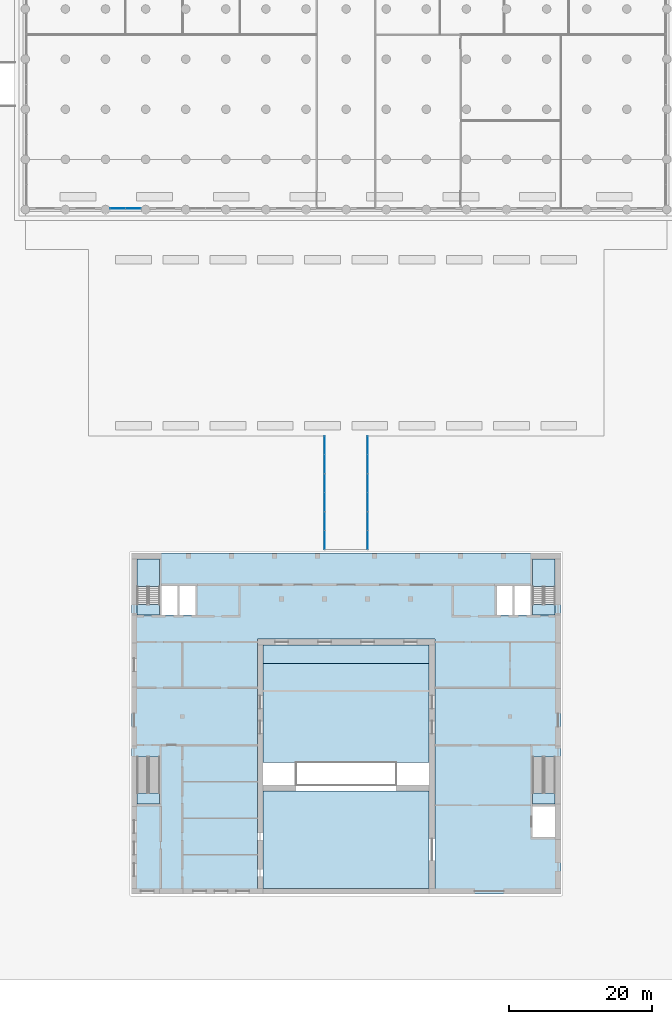
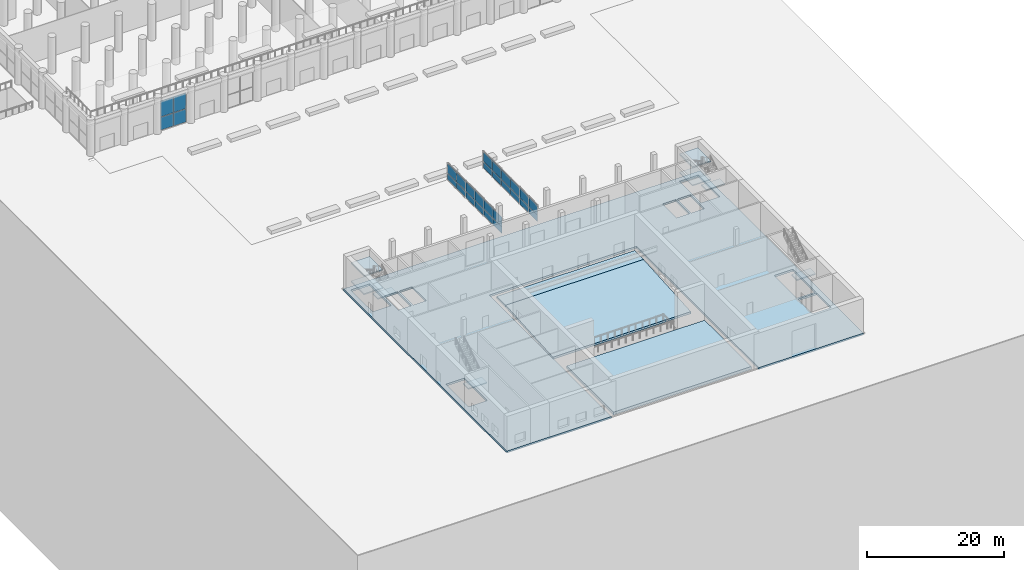
# One storey, part 21 of 51: 28 plates, 12 slabs, 11 elements without a shape of their own.
"""IFC4 building model written with IfcOpenShell, lengths in metres."""

from ifc_helpers import new_model, si_unit, direction, frame, origin, origin_2d, place, context, subcontext, project, spatial, polyline, rectangle, outline, extrude, material, layer, layer_set, type_object, element, aggregate, save


model = new_model("IFC4")

# Units and contexts
model_context = context("Model", 3, precision=1e-05, world=origin(), true_north=direction((0.0, 1.0)))
body_context = subcontext(model_context, "Body", "Model", "MODEL_VIEW")
ifc_project = project(units=[si_unit("LENGTHUNIT", "METRE"), si_unit("AREAUNIT", "SQUARE_METRE"), si_unit("VOLUMEUNIT", "CUBIC_METRE"), si_unit("PLANEANGLEUNIT", "RADIAN"), si_unit("MASSUNIT", "GRAM", prefix="KILO")], contexts=[model_context])

# Site, building, storey
site_placement = place(None, origin())
site = spatial("IfcSite", under=ifc_project, at=site_placement, CompositionType="ELEMENT")
building_placement = place(site_placement, origin())
building = spatial("IfcBuilding", under=site, at=building_placement, Name="Kiln Ring Residences", CompositionType="ELEMENT")
storey_placement = place(building_placement, origin())
storey = spatial("IfcBuildingStorey", under=building, at=storey_placement, Name="L00", CompositionType="ELEMENT", Elevation=0.0)

# Curtain wall, plates
ifc_material_1 = material(Name="Aluminium and glass", Category="aluminium")
ifc_layer_1 = layer(ifc_material_1, 0.179931640625)
ifc_layer_set_1 = layer_set([ifc_layer_1], Name="CW2 CURTAIN WALL")
curtain_wall_type_1 = type_object("IfcCurtainWallType", Name="CW2 CURTAIN WALL", PredefinedType="NOTDEFINED", material=ifc_layer_set_1)
placement_1 = place(storey_placement, origin())
curtain_wall_1 = element("IfcCurtainWall", 1, at=placement_1, inside=storey, type_object=curtain_wall_type_1, Name="Curtain wall CW2 L00", PredefinedType="NOTDEFINED")
ifc_material_2 = material(Name="Glass, clear toughened", Category="glass")
ifc_layer_2 = layer(ifc_material_2, 0.02392578125)
ifc_layer_set_2 = layer_set([ifc_layer_2], Name="CW2 PANEL 24")
plate_type_1 = type_object("IfcPlateType", Name="CW2 PANEL 24", PredefinedType="CURTAIN_PANEL", material=ifc_layer_set_2)
plate_1_placement = place(storey_placement, frame((-31.887451171875, -64.25, 0.0498046875), z_axis=(0.0, 0.0, 1.0), x_axis=(1.0, 0.0, 0.0)))
plate_1 = element("IfcPlate", 2, at=plate_1_placement, type_object=plate_type_1, Name="CW2 panel 1.1", PredefinedType="CURTAIN_PANEL", context=body_context, shape_type="SweptSolid", body=[
    extrude(rectangle(XDim=2.125, YDim=0.02392578125, at=origin_2d()), origin(), (0.0, 0.0, 1.0), 2.324951171875),
])
plate_2_placement = place(storey_placement, frame((-31.887451171875, -64.25, 2.425048828125), z_axis=(0.0, 0.0, 1.0), x_axis=(1.0, 0.0, 0.0)))
plate_2 = element("IfcPlate", 3, at=plate_2_placement, type_object=plate_type_1, Name="CW2 panel 1.2", PredefinedType="CURTAIN_PANEL", context=body_context, shape_type="SweptSolid", body=[
    extrude(rectangle(XDim=2.125, YDim=0.02392578125, at=origin_2d()), origin(), (0.0, 0.0, 1.0), 2.875),
])
plate_3_placement = place(storey_placement, frame((-29.71240234375, -64.25, 0.0498046875), z_axis=(0.0, 0.0, 1.0), x_axis=(1.0, 0.0, 0.0)))
plate_3 = element("IfcPlate", 4, at=plate_3_placement, type_object=plate_type_1, Name="CW2 panel 2.1", PredefinedType="CURTAIN_PANEL", context=body_context, shape_type="SweptSolid", body=[
    extrude(rectangle(XDim=2.125, YDim=0.02392578125, at=origin_2d()), origin(), (0.0, 0.0, 1.0), 2.324951171875),
])
plate_4_placement = place(storey_placement, frame((-29.71240234375, -64.25, 2.425048828125), z_axis=(0.0, 0.0, 1.0), x_axis=(1.0, 0.0, 0.0)))
plate_4 = element("IfcPlate", 5, at=plate_4_placement, type_object=plate_type_1, Name="CW2 panel 2.2", PredefinedType="CURTAIN_PANEL", context=body_context, shape_type="SweptSolid", body=[
    extrude(rectangle(XDim=2.125, YDim=0.02392578125, at=origin_2d()), origin(), (0.0, 0.0, 1.0), 2.875),
])
aggregate(curtain_wall_1, [plate_1, plate_2, plate_3, plate_4])

ifc_material_3 = material(Name="Aluminium and glass", Category="aluminium")
ifc_layer_3 = layer(ifc_material_3, 0.159912109375)
ifc_layer_set_3 = layer_set([ifc_layer_3], Name="CW6 CURTAIN WALL")
curtain_wall_type_2 = type_object("IfcCurtainWallType", Name="CW6 CURTAIN WALL", PredefinedType="NOTDEFINED", material=ifc_layer_set_3)
curtain_wall_2 = element("IfcCurtainWall", 6, at=placement_1, inside=storey, type_object=curtain_wall_type_2, Name="Curtain wall CW6 L00", PredefinedType="NOTDEFINED")
ifc_material_4 = material(Name="Glass, clear toughened", Category="glass")
ifc_layer_4 = layer(ifc_material_4, 0.02001953125)
ifc_layer_set_4 = layer_set([ifc_layer_4], Name="CW6 PANEL 20")
plate_type_2 = type_object("IfcPlateType", Name="CW6 PANEL 20", PredefinedType="CURTAIN_PANEL", material=ifc_layer_set_4)
plate_5_placement = place(storey_placement, frame((-3.0, -97.33740234375, 0.050048828125), z_axis=(0.0, 0.0, 1.0), x_axis=(0.0, -1.0, 0.0)))
plate_5 = element("IfcPlate", 7, at=plate_5_placement, type_object=plate_type_2, Name="CW6 panel 1.1", PredefinedType="CURTAIN_PANEL", context=body_context, shape_type="SweptSolid", body=[
    extrude(rectangle(XDim=2.574951171875, YDim=0.02001953125, at=origin_2d()), origin(), (0.0, 0.0, 1.0), 1.125),
])
plate_6_placement = place(storey_placement, frame((-3.0, -97.33740234375, 1.224853515625), z_axis=(0.0, 0.0, 1.0), x_axis=(0.0, -1.0, 0.0)))
plate_6 = element("IfcPlate", 8, at=plate_6_placement, type_object=plate_type_2, Name="CW6 panel 1.2", PredefinedType="CURTAIN_PANEL", context=body_context, shape_type="SweptSolid", body=[
    extrude(rectangle(XDim=2.574951171875, YDim=0.02001953125, at=origin_2d()), origin(), (0.0, 0.0, 1.0), 1.72509765625),
])
plate_7_placement = place(storey_placement, frame((-3.0, -99.96240234375, 0.050048828125), z_axis=(0.0, 0.0, 1.0), x_axis=(0.0, -1.0, 0.0)))
plate_7 = element("IfcPlate", 9, at=plate_7_placement, type_object=plate_type_2, Name="CW6 panel 2.1", PredefinedType="CURTAIN_PANEL", context=body_context, shape_type="SweptSolid", body=[
    extrude(rectangle(XDim=2.574951171875, YDim=0.02001953125, at=origin_2d()), origin(), (0.0, 0.0, 1.0), 1.125),
])
plate_8_placement = place(storey_placement, frame((-3.0, -99.96240234375, 1.224853515625), z_axis=(0.0, 0.0, 1.0), x_axis=(0.0, -1.0, 0.0)))
plate_8 = element("IfcPlate", 10, at=plate_8_placement, type_object=plate_type_2, Name="CW6 panel 2.2", PredefinedType="CURTAIN_PANEL", context=body_context, shape_type="SweptSolid", body=[
    extrude(rectangle(XDim=2.574951171875, YDim=0.02001953125, at=origin_2d()), origin(), (0.0, 0.0, 1.0), 1.72509765625),
])
aggregate(curtain_wall_2, [plate_5, plate_6, plate_7, plate_8])

curtain_wall_3 = element("IfcCurtainWall", 11, at=placement_1, inside=storey, type_object=curtain_wall_type_2, Name="Curtain wall CW6 L00", PredefinedType="NOTDEFINED")
plate_9_placement = place(storey_placement, frame((-3.0, -102.637451171875, 0.050048828125), z_axis=(0.0, 0.0, 1.0), x_axis=(0.0, -1.0, 0.0)))
plate_9 = element("IfcPlate", 12, at=plate_9_placement, type_object=plate_type_2, Name="CW6 panel 1.1", PredefinedType="CURTAIN_PANEL", context=body_context, shape_type="SweptSolid", body=[
    extrude(rectangle(XDim=2.574951171875, YDim=0.02001953125, at=origin_2d()), origin(), (0.0, 0.0, 1.0), 1.125),
])
plate_10_placement = place(storey_placement, frame((-3.0, -102.637451171875, 1.224853515625), z_axis=(0.0, 0.0, 1.0), x_axis=(0.0, -1.0, 0.0)))
plate_10 = element("IfcPlate", 13, at=plate_10_placement, type_object=plate_type_2, Name="CW6 panel 1.2", PredefinedType="CURTAIN_PANEL", context=body_context, shape_type="SweptSolid", body=[
    extrude(rectangle(XDim=2.574951171875, YDim=0.02001953125, at=origin_2d()), origin(), (0.0, 0.0, 1.0), 1.72509765625),
])
plate_11_placement = place(storey_placement, frame((-3.0, -105.262451171875, 0.050048828125), z_axis=(0.0, 0.0, 1.0), x_axis=(0.0, -1.0, 0.0)))
plate_11 = element("IfcPlate", 14, at=plate_11_placement, type_object=plate_type_2, Name="CW6 panel 2.1", PredefinedType="CURTAIN_PANEL", context=body_context, shape_type="SweptSolid", body=[
    extrude(rectangle(XDim=2.574951171875, YDim=0.02001953125, at=origin_2d()), origin(), (0.0, 0.0, 1.0), 1.125),
])
plate_12_placement = place(storey_placement, frame((-3.0, -105.262451171875, 1.224853515625), z_axis=(0.0, 0.0, 1.0), x_axis=(0.0, -1.0, 0.0)))
plate_12 = element("IfcPlate", 15, at=plate_12_placement, type_object=plate_type_2, Name="CW6 panel 2.2", PredefinedType="CURTAIN_PANEL", context=body_context, shape_type="SweptSolid", body=[
    extrude(rectangle(XDim=2.574951171875, YDim=0.02001953125, at=origin_2d()), origin(), (0.0, 0.0, 1.0), 1.72509765625),
])
aggregate(curtain_wall_3, [plate_9, plate_10, plate_11, plate_12])

curtain_wall_4 = element("IfcCurtainWall", 16, at=placement_1, inside=storey, type_object=curtain_wall_type_2, Name="Curtain wall CW6 L00", PredefinedType="NOTDEFINED")
plate_13_placement = place(storey_placement, frame((-3.0, -107.9375, 0.050048828125), z_axis=(0.0, 0.0, 1.0), x_axis=(0.0, -1.0, 0.0)))
plate_13 = element("IfcPlate", 17, at=plate_13_placement, type_object=plate_type_2, Name="CW6 panel 1.1", PredefinedType="CURTAIN_PANEL", context=body_context, shape_type="SweptSolid", body=[
    extrude(rectangle(XDim=2.574951171875, YDim=0.02001953125, at=origin_2d()), origin(), (0.0, 0.0, 1.0), 1.125),
])
plate_14_placement = place(storey_placement, frame((-3.0, -107.9375, 1.224853515625), z_axis=(0.0, 0.0, 1.0), x_axis=(0.0, -1.0, 0.0)))
plate_14 = element("IfcPlate", 18, at=plate_14_placement, type_object=plate_type_2, Name="CW6 panel 1.2", PredefinedType="CURTAIN_PANEL", context=body_context, shape_type="SweptSolid", body=[
    extrude(rectangle(XDim=2.574951171875, YDim=0.02001953125, at=origin_2d()), origin(), (0.0, 0.0, 1.0), 1.72509765625),
])
plate_15_placement = place(storey_placement, frame((-3.0, -110.5625, 0.050048828125), z_axis=(0.0, 0.0, 1.0), x_axis=(0.0, -1.0, 0.0)))
plate_15 = element("IfcPlate", 19, at=plate_15_placement, type_object=plate_type_2, Name="CW6 panel 2.1", PredefinedType="CURTAIN_PANEL", context=body_context, shape_type="SweptSolid", body=[
    extrude(rectangle(XDim=2.574951171875, YDim=0.02001953125, at=origin_2d()), origin(), (0.0, 0.0, 1.0), 1.125),
])
plate_16_placement = place(storey_placement, frame((-3.0, -110.5625, 1.224853515625), z_axis=(0.0, 0.0, 1.0), x_axis=(0.0, -1.0, 0.0)))
plate_16 = element("IfcPlate", 20, at=plate_16_placement, type_object=plate_type_2, Name="CW6 panel 2.2", PredefinedType="CURTAIN_PANEL", context=body_context, shape_type="SweptSolid", body=[
    extrude(rectangle(XDim=2.574951171875, YDim=0.02001953125, at=origin_2d()), origin(), (0.0, 0.0, 1.0), 1.72509765625),
])
aggregate(curtain_wall_4, [plate_13, plate_14, plate_15, plate_16])

curtain_wall_5 = element("IfcCurtainWall", 21, at=placement_1, inside=storey, type_object=curtain_wall_type_2, Name="Curtain wall CW6 L00", PredefinedType="NOTDEFINED")
plate_17_placement = place(storey_placement, frame((3.0, -97.33740234375, 0.050048828125), z_axis=(0.0, 0.0, 1.0), x_axis=(0.0, -1.0, 0.0)))
plate_17 = element("IfcPlate", 22, at=plate_17_placement, type_object=plate_type_2, Name="CW6 panel 1.1", PredefinedType="CURTAIN_PANEL", context=body_context, shape_type="SweptSolid", body=[
    extrude(rectangle(XDim=2.574951171875, YDim=0.02001953125, at=origin_2d()), origin(), (0.0, 0.0, 1.0), 1.125),
])
plate_18_placement = place(storey_placement, frame((3.0, -97.33740234375, 1.224853515625), z_axis=(0.0, 0.0, 1.0), x_axis=(0.0, -1.0, 0.0)))
plate_18 = element("IfcPlate", 23, at=plate_18_placement, type_object=plate_type_2, Name="CW6 panel 1.2", PredefinedType="CURTAIN_PANEL", context=body_context, shape_type="SweptSolid", body=[
    extrude(rectangle(XDim=2.574951171875, YDim=0.02001953125, at=origin_2d()), origin(), (0.0, 0.0, 1.0), 1.72509765625),
])
plate_19_placement = place(storey_placement, frame((3.0, -99.96240234375, 0.050048828125), z_axis=(0.0, 0.0, 1.0), x_axis=(0.0, -1.0, 0.0)))
plate_19 = element("IfcPlate", 24, at=plate_19_placement, type_object=plate_type_2, Name="CW6 panel 2.1", PredefinedType="CURTAIN_PANEL", context=body_context, shape_type="SweptSolid", body=[
    extrude(rectangle(XDim=2.574951171875, YDim=0.02001953125, at=origin_2d()), origin(), (0.0, 0.0, 1.0), 1.125),
])
plate_20_placement = place(storey_placement, frame((3.0, -99.96240234375, 1.224853515625), z_axis=(0.0, 0.0, 1.0), x_axis=(0.0, -1.0, 0.0)))
plate_20 = element("IfcPlate", 25, at=plate_20_placement, type_object=plate_type_2, Name="CW6 panel 2.2", PredefinedType="CURTAIN_PANEL", context=body_context, shape_type="SweptSolid", body=[
    extrude(rectangle(XDim=2.574951171875, YDim=0.02001953125, at=origin_2d()), origin(), (0.0, 0.0, 1.0), 1.72509765625),
])
aggregate(curtain_wall_5, [plate_17, plate_18, plate_19, plate_20])

curtain_wall_6 = element("IfcCurtainWall", 26, at=placement_1, inside=storey, type_object=curtain_wall_type_2, Name="Curtain wall CW6 L00", PredefinedType="NOTDEFINED")
plate_21_placement = place(storey_placement, frame((3.0, -102.637451171875, 0.050048828125), z_axis=(0.0, 0.0, 1.0), x_axis=(0.0, -1.0, 0.0)))
plate_21 = element("IfcPlate", 27, at=plate_21_placement, type_object=plate_type_2, Name="CW6 panel 1.1", PredefinedType="CURTAIN_PANEL", context=body_context, shape_type="SweptSolid", body=[
    extrude(rectangle(XDim=2.574951171875, YDim=0.02001953125, at=origin_2d()), origin(), (0.0, 0.0, 1.0), 1.125),
])
plate_22_placement = place(storey_placement, frame((3.0, -102.637451171875, 1.224853515625), z_axis=(0.0, 0.0, 1.0), x_axis=(0.0, -1.0, 0.0)))
plate_22 = element("IfcPlate", 28, at=plate_22_placement, type_object=plate_type_2, Name="CW6 panel 1.2", PredefinedType="CURTAIN_PANEL", context=body_context, shape_type="SweptSolid", body=[
    extrude(rectangle(XDim=2.574951171875, YDim=0.02001953125, at=origin_2d()), origin(), (0.0, 0.0, 1.0), 1.72509765625),
])
plate_23_placement = place(storey_placement, frame((3.0, -105.262451171875, 0.050048828125), z_axis=(0.0, 0.0, 1.0), x_axis=(0.0, -1.0, 0.0)))
plate_23 = element("IfcPlate", 29, at=plate_23_placement, type_object=plate_type_2, Name="CW6 panel 2.1", PredefinedType="CURTAIN_PANEL", context=body_context, shape_type="SweptSolid", body=[
    extrude(rectangle(XDim=2.574951171875, YDim=0.02001953125, at=origin_2d()), origin(), (0.0, 0.0, 1.0), 1.125),
])
plate_24_placement = place(storey_placement, frame((3.0, -105.262451171875, 1.224853515625), z_axis=(0.0, 0.0, 1.0), x_axis=(0.0, -1.0, 0.0)))
plate_24 = element("IfcPlate", 30, at=plate_24_placement, type_object=plate_type_2, Name="CW6 panel 2.2", PredefinedType="CURTAIN_PANEL", context=body_context, shape_type="SweptSolid", body=[
    extrude(rectangle(XDim=2.574951171875, YDim=0.02001953125, at=origin_2d()), origin(), (0.0, 0.0, 1.0), 1.72509765625),
])
aggregate(curtain_wall_6, [plate_21, plate_22, plate_23, plate_24])

curtain_wall_7 = element("IfcCurtainWall", 31, at=placement_1, inside=storey, type_object=curtain_wall_type_2, Name="Curtain wall CW6 L00", PredefinedType="NOTDEFINED")
plate_25_placement = place(storey_placement, frame((3.0, -107.9375, 0.050048828125), z_axis=(0.0, 0.0, 1.0), x_axis=(0.0, -1.0, 0.0)))
plate_25 = element("IfcPlate", 32, at=plate_25_placement, type_object=plate_type_2, Name="CW6 panel 1.1", PredefinedType="CURTAIN_PANEL", context=body_context, shape_type="SweptSolid", body=[
    extrude(rectangle(XDim=2.574951171875, YDim=0.02001953125, at=origin_2d()), origin(), (0.0, 0.0, 1.0), 1.125),
])
plate_26_placement = place(storey_placement, frame((3.0, -107.9375, 1.224853515625), z_axis=(0.0, 0.0, 1.0), x_axis=(0.0, -1.0, 0.0)))
plate_26 = element("IfcPlate", 33, at=plate_26_placement, type_object=plate_type_2, Name="CW6 panel 1.2", PredefinedType="CURTAIN_PANEL", context=body_context, shape_type="SweptSolid", body=[
    extrude(rectangle(XDim=2.574951171875, YDim=0.02001953125, at=origin_2d()), origin(), (0.0, 0.0, 1.0), 1.72509765625),
])
plate_27_placement = place(storey_placement, frame((3.0, -110.5625, 0.050048828125), z_axis=(0.0, 0.0, 1.0), x_axis=(0.0, -1.0, 0.0)))
plate_27 = element("IfcPlate", 34, at=plate_27_placement, type_object=plate_type_2, Name="CW6 panel 2.1", PredefinedType="CURTAIN_PANEL", context=body_context, shape_type="SweptSolid", body=[
    extrude(rectangle(XDim=2.574951171875, YDim=0.02001953125, at=origin_2d()), origin(), (0.0, 0.0, 1.0), 1.125),
])
plate_28_placement = place(storey_placement, frame((3.0, -110.5625, 1.224853515625), z_axis=(0.0, 0.0, 1.0), x_axis=(0.0, -1.0, 0.0)))
plate_28 = element("IfcPlate", 35, at=plate_28_placement, type_object=plate_type_2, Name="CW6 panel 2.2", PredefinedType="CURTAIN_PANEL", context=body_context, shape_type="SweptSolid", body=[
    extrude(rectangle(XDim=2.574951171875, YDim=0.02001953125, at=origin_2d()), origin(), (0.0, 0.0, 1.0), 1.72509765625),
])
aggregate(curtain_wall_7, [plate_25, plate_26, plate_27, plate_28])

# Slab
ifc_material_5 = material(Name="Concrete C40/50", Category="concrete")
ifc_layer_5 = layer(ifc_material_5, 0.35009765625)
ifc_layer_set_5 = layer_set([ifc_layer_5], Name="Hall reinforced concrete C40/50 floor slab 350")
slab_type_1 = type_object("IfcSlabType", Name="Hall reinforced concrete C40/50 floor slab 350", PredefinedType="FLOOR", material=ifc_layer_set_5)
slab_1_placement = place(storey_placement, frame((0.0, 0.0, -0.35009765625)))
element("IfcSlab", 36, at=slab_1_placement, inside=storey, type_object=slab_type_1, Name="Hall floor slab L00", PredefinedType="FLOOR", context=body_context, shape_type="SweptSolid", body=[
    extrude(outline(polyline([(-30.0, -112.39990234375), (30.0, -112.39990234375), (30.0, -160.0), (12.39990234375, -160.0), (12.39990234375, -124.39990234375), (-12.39990234375, -124.39990234375), (-12.39990234375, -160.0), (-30.0, -160.0), (-30.0, -112.39990234375)]), holes=[polyline([(-23.550048828125, -116.949951171875), (-25.75, -116.949951171875), (-25.75, -121.050048828125), (-23.550048828125, -121.050048828125), (-23.550048828125, -116.949951171875)]), polyline([(-21.050048828125, -116.949951171875), (-23.25, -116.949951171875), (-23.25, -121.050048828125), (-21.050048828125, -121.050048828125), (-21.050048828125, -116.949951171875)]), polyline([(21.050048828125, -116.949951171875), (21.050048828125, -121.050048828125), (23.25, -121.050048828125), (23.25, -116.949951171875), (21.050048828125, -116.949951171875)]), polyline([(23.550048828125, -121.050048828125), (25.75, -121.050048828125), (25.75, -116.949951171875), (23.550048828125, -116.949951171875), (23.550048828125, -121.050048828125)]), polyline([(29.199951171875, -147.75), (26.050048828125, -147.75), (26.050048828125, -152.050048828125), (29.199951171875, -152.050048828125), (29.199951171875, -147.75)]), polyline([(-26.050048828125, -119.548095703125), (-26.050048828125, -113.199951171875), (-29.199951171875, -113.199951171875), (-29.199951171875, -119.548095703125), (-26.050048828125, -119.548095703125)]), polyline([(26.050048828125, -119.548095703125), (29.199951171875, -119.548095703125), (29.199951171875, -113.199951171875), (26.050048828125, -113.199951171875), (26.050048828125, -119.548095703125)]), polyline([(-26.050048828125, -147.449951171875), (-26.050048828125, -140.85205078125), (-29.199951171875, -140.85205078125), (-29.199951171875, -147.449951171875), (-26.050048828125, -147.449951171875)]), polyline([(26.050048828125, -147.449951171875), (29.199951171875, -147.449951171875), (29.199951171875, -140.85205078125), (26.050048828125, -140.85205078125), (26.050048828125, -147.449951171875)])]), origin(), (0.0, 0.0, 1.0), 0.35009765625),
])

# Stair, slabs
ifc_material_6 = material(Name="Concrete C40/50", Category="concrete")
stair_type = type_object("IfcStairType", Name="Hall reinforced concrete stair", PredefinedType="HALF_TURN_STAIR", material=ifc_material_6)
stair_1 = element("IfcStair", 37, at=placement_1, inside=storey, type_object=stair_type, Name="L00 Hall stair ST1", PredefinedType="HALF_TURN_STAIR")
ifc_material_7 = material(Name="Concrete C40/50", Category="concrete")
ifc_layer_6 = layer(ifc_material_7, 0.199951171875)
ifc_layer_set_6 = layer_set([ifc_layer_6], Name="Hall reinforced concrete C40/50 stair landing 200")
slab_type_2 = type_object("IfcSlabType", Name="Hall reinforced concrete C40/50 stair landing 200", PredefinedType="LANDING", material=ifc_layer_set_6)
placement_2 = place(storey_placement, frame((0.0, 0.0, 1.425048828125)))
slab_2 = element("IfcSlab", 38, at=placement_2, type_object=slab_type_2, Name="HALL.ST1 landing 1", PredefinedType="LANDING", context=body_context, shape_type="SweptSolid", body=[
    extrude(outline(polyline([(-26.050048828125, -117.030029296875), (-26.050048828125, -113.199951171875), (-29.199951171875, -113.199951171875), (-29.199951171875, -117.030029296875), (-26.050048828125, -117.030029296875)])), origin(), (0.0, 0.0, 1.0), 0.199951171875),
])
placement_3 = place(storey_placement, frame((0.0, 0.0, 3.050048828125)))
slab_3 = element("IfcSlab", 39, at=placement_3, type_object=slab_type_2, Name="HALL.ST1 landing 2", PredefinedType="LANDING", context=body_context, shape_type="SweptSolid", body=[
    extrude(outline(polyline([(-26.050048828125, -121.050048828125), (-26.050048828125, -119.550048828125), (-29.199951171875, -119.550048828125), (-29.199951171875, -121.050048828125), (-26.050048828125, -121.050048828125)])), origin(), (0.0, 0.0, 1.0), 0.199951171875),
])
placement_4 = place(storey_placement, frame((0.0, 0.0, 4.675048828125)))
slab_4 = element("IfcSlab", 40, at=placement_4, type_object=slab_type_2, Name="HALL.ST1 landing 3", PredefinedType="LANDING", context=body_context, shape_type="SweptSolid", body=[
    extrude(outline(polyline([(-26.050048828125, -117.030029296875), (-26.050048828125, -113.199951171875), (-29.199951171875, -113.199951171875), (-29.199951171875, -117.030029296875), (-26.050048828125, -117.030029296875)])), origin(), (0.0, 0.0, 1.0), 0.199951171875),
])
aggregate(stair_1, [slab_2, slab_3, slab_4])

stair_2 = element("IfcStair", 41, at=placement_1, inside=storey, type_object=stair_type, Name="L00 Hall stair ST2", PredefinedType="HALF_TURN_STAIR")
slab_5 = element("IfcSlab", 42, at=placement_2, type_object=slab_type_2, Name="HALL.ST2 landing 1", PredefinedType="LANDING", context=body_context, shape_type="SweptSolid", body=[
    extrude(outline(polyline([(29.199951171875, -117.030029296875), (29.199951171875, -113.199951171875), (26.050048828125, -113.199951171875), (26.050048828125, -117.030029296875), (29.199951171875, -117.030029296875)])), origin(), (0.0, 0.0, 1.0), 0.199951171875),
])
slab_6 = element("IfcSlab", 43, at=placement_3, type_object=slab_type_2, Name="HALL.ST2 landing 2", PredefinedType="LANDING", context=body_context, shape_type="SweptSolid", body=[
    extrude(outline(polyline([(29.199951171875, -121.050048828125), (29.199951171875, -119.550048828125), (26.050048828125, -119.550048828125), (26.050048828125, -121.050048828125), (29.199951171875, -121.050048828125)])), origin(), (0.0, 0.0, 1.0), 0.199951171875),
])
slab_7 = element("IfcSlab", 44, at=placement_4, type_object=slab_type_2, Name="HALL.ST2 landing 3", PredefinedType="LANDING", context=body_context, shape_type="SweptSolid", body=[
    extrude(outline(polyline([(29.199951171875, -117.030029296875), (29.199951171875, -113.199951171875), (26.050048828125, -113.199951171875), (26.050048828125, -117.030029296875), (29.199951171875, -117.030029296875)])), origin(), (0.0, 0.0, 1.0), 0.199951171875),
])
aggregate(stair_2, [slab_5, slab_6, slab_7])

# Stair, slab
stair_3 = element("IfcStair", 45, at=placement_1, inside=storey, type_object=stair_type, Name="L00 Hall stair ST3", PredefinedType="HALF_TURN_STAIR")
slab_8 = element("IfcSlab", 46, at=placement_3, type_object=slab_type_2, Name="HALL.ST3 landing 1", PredefinedType="LANDING", context=body_context, shape_type="SweptSolid", body=[
    extrude(outline(polyline([(-29.199951171875, -145.889892578125), (-29.199951171875, -147.449951171875), (-26.050048828125, -147.449951171875), (-26.050048828125, -145.889892578125), (-29.199951171875, -145.889892578125)])), origin(), (0.0, 0.0, 1.0), 0.199951171875),
])
aggregate(stair_3, [slab_8])

stair_4 = element("IfcStair", 47, at=placement_1, inside=storey, type_object=stair_type, Name="L00 Hall stair ST4", PredefinedType="HALF_TURN_STAIR")
slab_9 = element("IfcSlab", 48, at=placement_3, type_object=slab_type_2, Name="HALL.ST4 landing 1", PredefinedType="LANDING", context=body_context, shape_type="SweptSolid", body=[
    extrude(outline(polyline([(26.050048828125, -145.889892578125), (26.050048828125, -147.449951171875), (29.199951171875, -147.449951171875), (29.199951171875, -145.889892578125), (26.050048828125, -145.889892578125)])), origin(), (0.0, 0.0, 1.0), 0.199951171875),
])
aggregate(stair_4, [slab_9])

# Slabs
ifc_material_8 = material(Name="Concrete C40/50", Category="concrete")
ifc_layer_7 = layer(ifc_material_8, 0.39990234375)
ifc_layer_set_7 = layer_set([ifc_layer_7], Name="Hall seating tier slab 400")
slab_type_3 = type_object("IfcSlabType", Name="Hall seating tier slab 400", PredefinedType="FLOOR", material=ifc_layer_set_7)
slab_10_placement = place(storey_placement, frame((-11.60009765625, -141.60009765625, -0.89990234375), z_axis=(0.0, -0.065071876443, 0.997880579476), x_axis=(1.0, 0.0, 0.0)))
element("IfcSlab", 49, at=slab_10_placement, inside=storey, type_object=slab_type_3, Name="Hall stalls tier", PredefinedType="FLOOR", context=body_context, shape_type="SweptSolid", body=[
    extrude(outline(polyline([(0.0, 0.0), (23.2001953125, 0.0), (23.2001953125, 13.82935905553547), (0.0, 13.82935905553547), (0.0, 0.0)])), origin(), (0.0, 0.0, -1.0), 0.39990234375),
])
slab_11_placement = place(storey_placement, frame((0.0, 0.0, -0.39990234375)))
element("IfcSlab", 50, at=slab_11_placement, inside=storey, type_object=slab_type_3, Name="Hall stalls cross aisle", PredefinedType="FLOOR", context=body_context, shape_type="SweptSolid", body=[
    extrude(outline(polyline([(-11.60009765625, -127.800048828125), (11.60009765625, -127.800048828125), (11.60009765625, -125.199951171875), (-11.60009765625, -125.199951171875), (-11.60009765625, -127.800048828125)])), origin(), (0.0, 0.0, 1.0), 0.39990234375),
])
ifc_material_9 = material(Name="Concrete C40/50", Category="concrete")
ifc_layer_8 = layer(ifc_material_9, 0.5)
ifc_layer_set_8 = layer_set([ifc_layer_8], Name="Hall stage floor slab 500")
slab_type_4 = type_object("IfcSlabType", Name="Hall stage floor slab 500", PredefinedType="FLOOR", material=ifc_layer_set_8)
slab_12_placement = place(storey_placement, frame((0.0, 0.0, -0.5)))
element("IfcSlab", 51, at=slab_12_placement, inside=storey, type_object=slab_type_4, Name="Hall stage floor", PredefinedType="FLOOR", context=body_context, shape_type="SweptSolid", body=[
    extrude(outline(polyline([(-11.60009765625, -159.199951171875), (11.60009765625, -159.199951171875), (11.60009765625, -145.60009765625), (-11.60009765625, -145.60009765625), (-11.60009765625, -159.199951171875)])), origin(), (0.0, 0.0, 1.0), 0.5),
])

save(model, "model.ifc")
